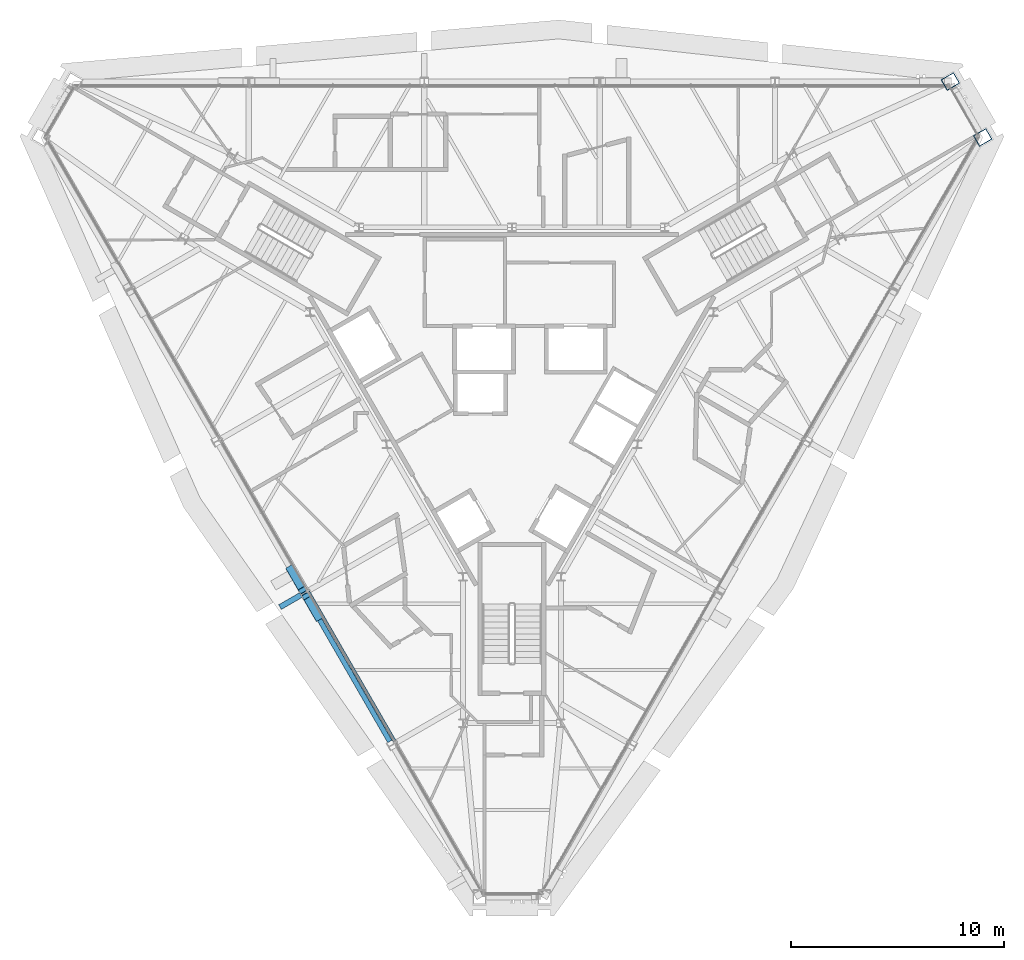
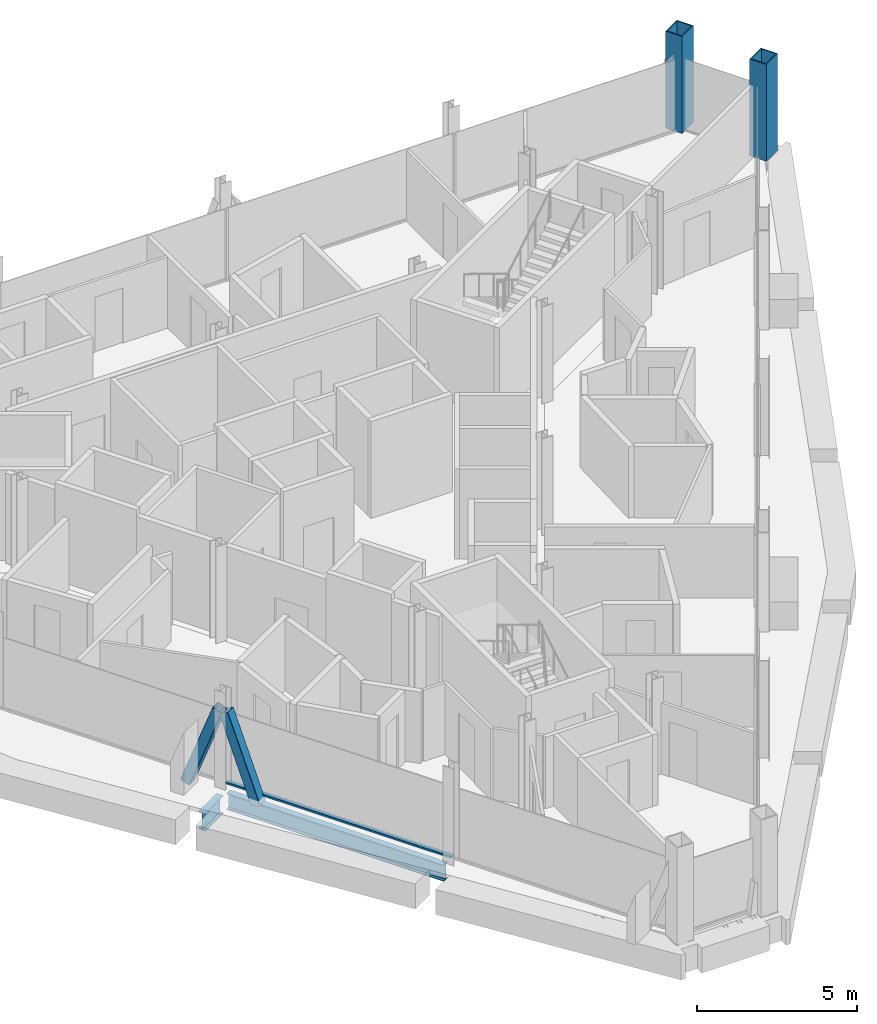
# One storey, part 2 of 13: 3 members, 2 beams, 2 columns, 1 element without a shape of its own.
"""IFC4 building model written with IfcOpenShell, lengths in metres."""

from ifc_helpers import new_model, si_unit, direction, frame, origin, origin_2d, place, context, subcontext, project, spatial, rectangle, hollow_rectangle, i_section, extrude, material, material_profile, profile_set, type_object, element, aggregate, save


model = new_model("IFC4")

# Units and contexts
model_context = context("Model", 3, precision=1e-05, world=origin(), true_north=direction((0.0, 1.0)))
body_context = subcontext(model_context, "Body", "Model", "MODEL_VIEW")
ifc_project = project(units=[si_unit("LENGTHUNIT", "METRE"), si_unit("AREAUNIT", "SQUARE_METRE"), si_unit("VOLUMEUNIT", "CUBIC_METRE"), si_unit("PLANEANGLEUNIT", "RADIAN"), si_unit("MASSUNIT", "GRAM", prefix="KILO")], contexts=[model_context])

# Site, building, storey
site_placement = place(None, origin())
site = spatial("IfcSite", under=ifc_project, at=site_placement, CompositionType="ELEMENT")
building_placement = place(site_placement, origin())
building = spatial("IfcBuilding", under=site, at=building_placement, Name="Verrane Prism Tower", CompositionType="ELEMENT")
storey_placement = place(building_placement, frame((0.0, 0.0, 282.5)))
storey = spatial("IfcBuildingStorey", under=building, at=storey_placement, Name="L71", CompositionType="ELEMENT", Elevation=282.5)

# Columns
ifc_material_1 = material(Name="Steel A572 Grade 50", Category="steel")
ifc_material_profile_1 = material_profile(ifc_material_1, hollow_rectangle(XDim=0.60009765625, YDim=0.699951171875, WallThickness=0.0400390625, at=origin_2d()), Name="BOX 700x600x40")
ifc_profile_set_1 = profile_set([ifc_material_profile_1], Name="Steel A572 Grade 50")
column_type = type_object("IfcColumnType", Name="Megacolumn BOX 700x600x40", PredefinedType="COLUMN", material=ifc_profile_set_1)
for number, where, z_axis, x_axis, name in (
    (1, (20.60009765625, 13.64990234375, 0.0), (0.0, 0.0, 1.0), (0.5, -0.866025403784, 0.0), "Megacolumn MC-NE.b L71"),
    (2, (22.1201171875, 11.02001953125, 0.0), (0.0, 0.0, 1.0), (0.5, -0.866025403784, 0.0), "Megacolumn MC-NE.a L71"),
):
    element("IfcColumn", number, at=place(storey_placement, frame(where, z_axis=z_axis, x_axis=x_axis)), inside=storey, type_object=column_type, Name=name, PredefinedType="COLUMN", context=body_context, shape_type="SweptSolid", body=[
        extrude(hollow_rectangle(XDim=0.60009765625, YDim=0.699951171875, WallThickness=0.0400390625, at=origin_2d()), origin(), (0.0, 0.0, 1.0), 3.699951171875),
    ])

# Members
ifc_material_2 = material(Name="Steel A500 Grade C", Category="steel")
ifc_material_profile_2 = material_profile(ifc_material_2, hollow_rectangle(XDim=0.355712890625, YDim=0.355712890625, WallThickness=0.0126953125, InnerFilletRadius=0.00634765625, OuterFilletRadius=0.01904296875, at=origin_2d()), Name="HSS14x14x1/2")
ifc_profile_set_2 = profile_set([ifc_material_profile_2], Name="Steel A500 Grade C")
member_type_1 = type_object("IfcMemberType", Name="Facade brace HSS14x14x1/2", PredefinedType="BRACE", material=ifc_profile_set_2)
member_1_placement = place(storey_placement, frame((-10.39990234375, -9.28271484375, -0.216796875), z_axis=(0.173965251972, -0.301079736712, 0.937596439439), x_axis=(0.865855019057, 0.500294998949, 0.0)))
element("IfcMember", 3, at=member_1_placement, inside=storey, type_object=member_type_1, Name="Facade brace SW2 L71", PredefinedType="BRACE", context=body_context, shape_type="SweptSolid", body=[
    extrude(hollow_rectangle(XDim=0.355712890625, YDim=0.355712890625, WallThickness=0.0126953125, InnerFilletRadius=0.00634765625, OuterFilletRadius=0.01904296875, at=origin_2d()), origin(), (0.0, 0.0, 1.0), 3.361083984375),
])
member_2_placement = place(storey_placement, frame((-9.1201171875, -11.4990234375, -0.216796875), z_axis=(-0.173942412768, 0.301475973027, 0.937473346142), x_axis=(-0.866168216079, -0.499752560229, 0.0)))
element("IfcMember", 4, at=member_2_placement, inside=storey, type_object=member_type_1, Name="Facade brace SW3 L71", PredefinedType="BRACE", context=body_context, shape_type="SweptSolid", body=[
    extrude(hollow_rectangle(XDim=0.355712890625, YDim=0.355712890625, WallThickness=0.0126953125, InnerFilletRadius=0.00634765625, OuterFilletRadius=0.01904296875, at=origin_2d()), origin(), (0.0, 0.0, 1.0), 3.361572265625),
])

# Beams
ifc_material_3 = material(Name="Steel A992", Category="steel")
ifc_material_profile_3 = material_profile(ifc_material_3, i_section(OverallWidth=0.25390625, OverallDepth=0.683349609375, WebThickness=0.012451171875, FlangeThickness=0.01904296875, FilletRadius=0.01513671875, at=origin_2d()), Name="W27x94")
ifc_profile_set_3 = profile_set([ifc_material_profile_3], Name="Steel A992")
beam_type_1 = type_object("IfcBeamType", Name="Radial girder W27x94", PredefinedType="BEAM", material=ifc_profile_set_3)
beam_1_placement = place(storey_placement, frame((-9.919189453125, -10.48193359375, -0.5615234375), z_axis=(-0.866066817379, -0.499928262689, 0.0), x_axis=(0.499928262689, -0.866066817379, 0.0)))
element("IfcBeam", 5, at=beam_1_placement, inside=storey, type_object=beam_type_1, Name="Cantilever girder L71", PredefinedType="BEAM", context=body_context, shape_type="SweptSolid", body=[
    extrude(i_section(OverallWidth=0.25390625, OverallDepth=0.683349609375, WebThickness=0.012451171875, FlangeThickness=0.01904296875, FilletRadius=0.01513671875, at=origin_2d()), origin(), (0.0, 0.0, 1.0), 1.129638671875),
])
ifc_material_4 = material(Name="Steel A992", Category="steel")
ifc_material_profile_4 = material_profile(ifc_material_4, i_section(OverallWidth=0.23046875, OverallDepth=0.6171875, WebThickness=0.01318359375, FlangeThickness=0.022216796875, FilletRadius=0.012939453125, at=origin_2d()), Name="W24x94")
ifc_profile_set_4 = profile_set([ifc_material_profile_4], Name="Steel A992")
beam_type_2 = type_object("IfcBeamType", Name="Spandrel beam W24x94", PredefinedType="SPANDREL", material=ifc_profile_set_4)
beam_2_placement = place(storey_placement, frame((-9.66162109375, -10.560546875, -0.468505859375), z_axis=(0.499798737888, -0.866141571341, 0.0), x_axis=(0.866141571341, 0.499798737888, 0.0)))
element("IfcBeam", 6, at=beam_2_placement, inside=storey, type_object=beam_type_2, Name="Spandrel beam L71", PredefinedType="SPANDREL", context=body_context, shape_type="SweptSolid", body=[
    extrude(i_section(OverallWidth=0.23046875, OverallDepth=0.6171875, WebThickness=0.01318359375, FlangeThickness=0.022216796875, FilletRadius=0.012939453125, at=origin_2d()), origin(), (0.0, 0.0, 1.0), 7.849853515625),
])

# Curtain wall, member
ifc_material_5 = material(Name="Aluminium framed insulated glazing", Category="aluminium")
curtain_wall_type = type_object("IfcCurtainWallType", Name="Curtain wall CW-A 8400 module", PredefinedType="NOTDEFINED", material=ifc_material_5)
curtain_wall_placement = place(storey_placement, origin())
curtain_wall = element("IfcCurtainWall", 7, at=curtain_wall_placement, inside=storey, type_object=curtain_wall_type, Name="Glazed curtain wall south-west face L71", PredefinedType="NOTDEFINED")
ifc_material_6 = material(Name="Aluminium alloy 6063-T6", Category="aluminium")
ifc_material_profile_5 = material_profile(ifc_material_6, rectangle(XDim=0.14990234375, YDim=0.070068359375, at=origin_2d()), Name="Transom 70x150 aluminium")
ifc_profile_set_5 = profile_set([ifc_material_profile_5], Name="Aluminium alloy 6063-T6")
member_type_2 = type_object("IfcMemberType", Name="Transom 70x150 aluminium", PredefinedType="USERDEFINED", material=ifc_profile_set_5)
member_3_placement = place(storey_placement, frame((-9.573486328125, -10.3125, 0.034912109375), z_axis=(0.499993044538, -0.866029419485, 0.0), x_axis=(0.866029419485, 0.499993044538, 0.0)))
member_3 = element("IfcMember", 8, at=member_3_placement, type_object=member_type_2, Name="CW69.4 transom 4", ObjectType="TRANSOM", PredefinedType="USERDEFINED", context=body_context, shape_type="SweptSolid", body=[
    extrude(rectangle(XDim=0.14990234375, YDim=0.070068359375, at=origin_2d()), origin(), (0.0, 0.0, 1.0), 8.1484375),
])
aggregate(curtain_wall, [member_3])

save(model, "model.ifc")
